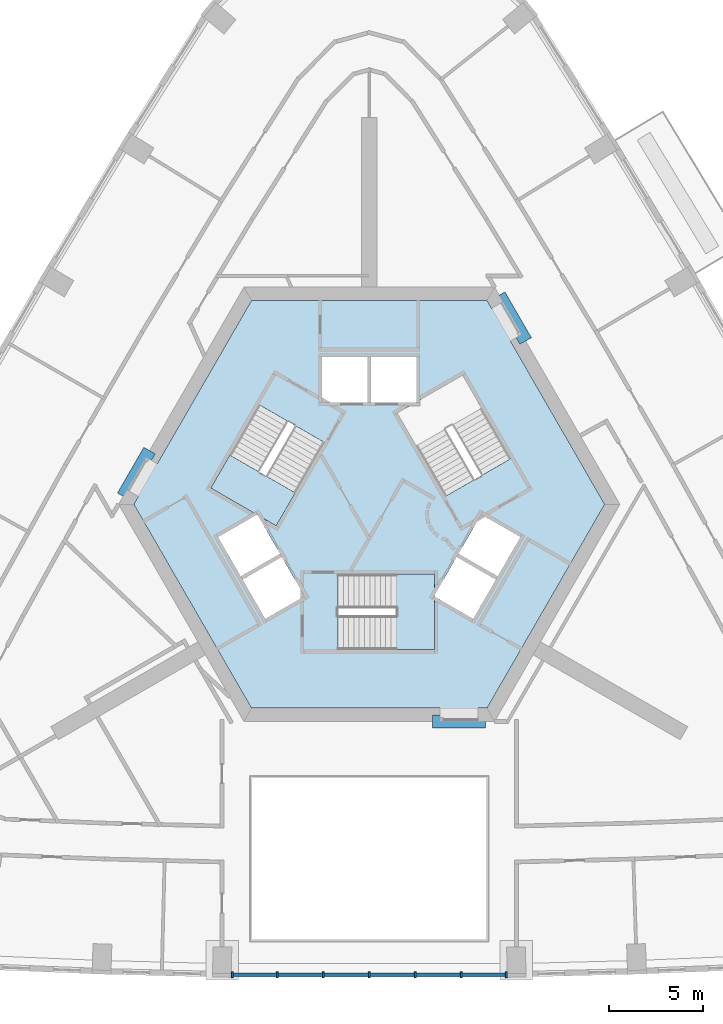
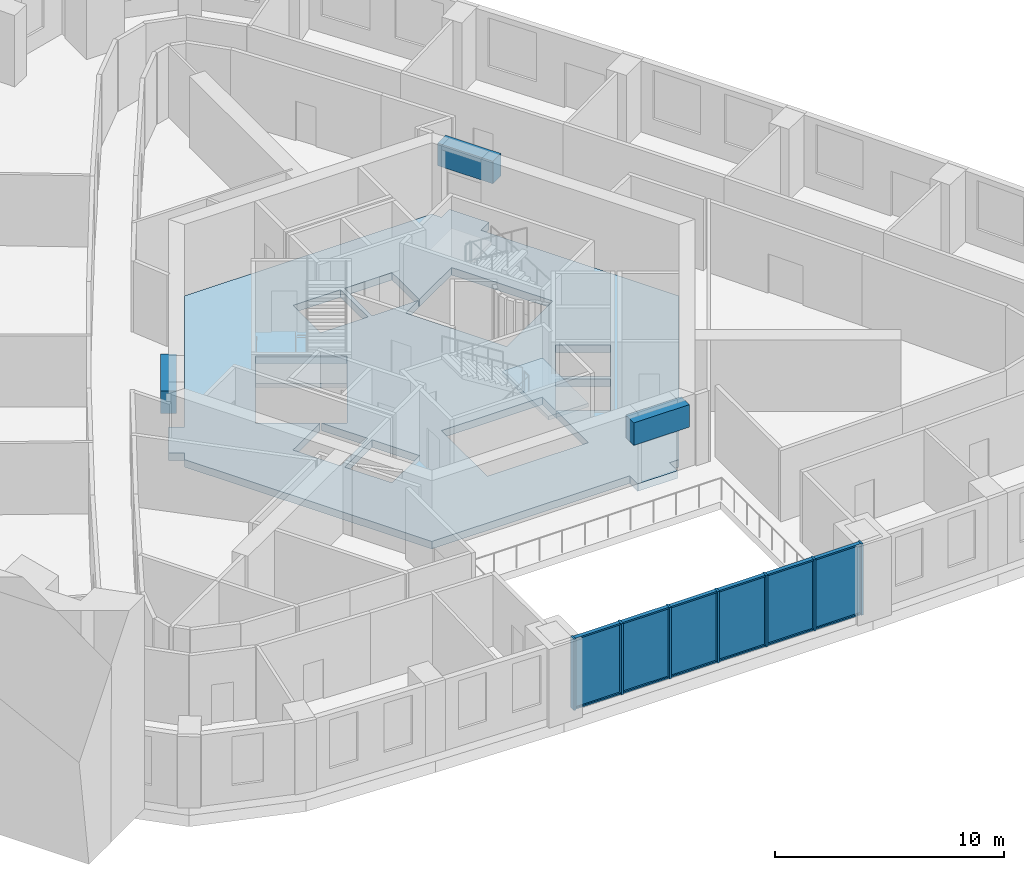
# One storey, part 2 of 13: 19 members, 6 plates, 3 beams, 3 slabs, 3 elements without a shape of their own.
"""IFC4 building model written with IfcOpenShell, lengths in metres."""

from ifc_helpers import new_model, si_unit, direction, frame, origin, origin_2d, place, context, subcontext, project, spatial, polyline, rectangle, outline, extrude, material, layer, layer_set, material_profile, profile_set, type_object, element, aggregate, save


model = new_model("IFC4")

# Units and contexts
model_context = context("Model", 3, precision=1e-05, world=origin(), true_north=direction((0.0, 1.0)))
body_context = subcontext(model_context, "Body", "Model", "MODEL_VIEW")
ifc_project = project(units=[si_unit("LENGTHUNIT", "METRE"), si_unit("AREAUNIT", "SQUARE_METRE"), si_unit("VOLUMEUNIT", "CUBIC_METRE"), si_unit("PLANEANGLEUNIT", "RADIAN"), si_unit("MASSUNIT", "GRAM", prefix="KILO")], contexts=[model_context])

# Site, building, storey
site_placement = place(None, origin())
site = spatial("IfcSite", under=ifc_project, at=site_placement, CompositionType="ELEMENT")
building_placement = place(site_placement, origin())
building = spatial("IfcBuilding", under=site, at=building_placement, Name="Entoto Arch Interchange Tower", CompositionType="ELEMENT")
storey_placement = place(building_placement, frame((0.0, 0.0, 202.39990234375)))
storey = spatial("IfcBuildingStorey", under=building, at=storey_placement, Name="L45", CompositionType="ELEMENT", Elevation=202.39990234375)

# Beams
ifc_material_1 = material(Name="Concrete C50/60", Category="concrete")
ifc_material_profile_1 = material_profile(ifc_material_1, rectangle(XDim=0.699951171875, YDim=1.199951171875, at=origin_2d()))
ifc_profile_set_1 = profile_set([ifc_material_profile_1], Name="Concrete C50/60")
beam_type = type_object("IfcBeamType", Name="Coupling beam RC 700x1200 C50/60", PredefinedType="BEAM", material=ifc_profile_set_1)
for number, where, z_axis, x_axis, name in (
    (1, (8.283935546875, 11.152099609375, 3.0), (-0.500135180047, 0.865947343479, 0.0), (-0.865947343479, -0.500135180047, 0.0), "Coupling beam NE L45"),
    (2, (-11.634033203125, 5.347900390625, 3.0), (-0.500135180047, -0.865947343479, 0.0), (0.865947343479, -0.500135180047, 0.0), "Coupling beam NW L45"),
):
    element("IfcBeam", number, at=place(storey_placement, frame(where, z_axis=z_axis, x_axis=x_axis)), inside=storey, type_object=beam_type, Name=name, PredefinedType="BEAM", context=body_context, shape_type="SweptSolid", body=[
        extrude(rectangle(XDim=0.699951171875, YDim=1.199951171875, at=origin_2d()), origin(), (0.0, 0.0, 1.0), 2.799072265625),
    ])
beam_placement = place(storey_placement, frame((3.35009765625, -9.0, 3.0), z_axis=(1.0, 0.0, 0.0), x_axis=(0.0, 1.0, 0.0)))
element("IfcBeam", 3, at=beam_placement, inside=storey, type_object=beam_type, Name="Coupling beam S L45", PredefinedType="BEAM", context=body_context, shape_type="SweptSolid", body=[
    extrude(rectangle(XDim=0.699951171875, YDim=1.199951171875, at=origin_2d()), origin(), (0.0, 0.0, 1.0), 2.7998046875),
])

# Curtain wall, members
ifc_material_2 = material(Name="Aluminium, anodised", Category="aluminium")
curtain_wall_type = type_object("IfcCurtainWallType", Name="CURTAIN WALL ATRIUM", PredefinedType="NOTDEFINED", material=ifc_material_2)
curtain_wall_placement = place(storey_placement, origin())
curtain_wall = element("IfcCurtainWall", 4, at=curtain_wall_placement, inside=storey, type_object=curtain_wall_type, Name="Atrium glazing S-03 L45", PredefinedType="NOTDEFINED")
ifc_material_profile_2 = material_profile(ifc_material_2, rectangle(XDim=0.300048828125, YDim=0.10009765625, at=origin_2d()))
ifc_profile_set_2 = profile_set([ifc_material_profile_2], Name="Aluminium, anodised")
member_type_1 = type_object("IfcMemberType", Name="MULLION ATRIUM 100x300", PredefinedType="MULLION", material=ifc_profile_set_2)
member_1_placement = place(storey_placement, frame((-7.2490234375, -22.4189453125, 0.0), z_axis=(0.0, 0.0, 1.0), x_axis=(0.0, 1.0, 0.0)))
member_1 = element("IfcMember", 5, at=member_1_placement, type_object=member_type_1, Name="CWA mullion 1", PredefinedType="MULLION", context=body_context, shape_type="SweptSolid", body=[
    extrude(rectangle(XDim=0.300048828125, YDim=0.10009765625, at=origin_2d()), origin(), (0.0, 0.0, 1.0), 3.800048828125),
])
member_2_placement = place(storey_placement, frame((-4.865966796875, -22.4189453125, 0.0), z_axis=(0.0, 0.0, 1.0), x_axis=(0.0, 1.0, 0.0)))
member_2 = element("IfcMember", 6, at=member_2_placement, type_object=member_type_1, Name="CWA mullion 2", PredefinedType="MULLION", context=body_context, shape_type="SweptSolid", body=[
    extrude(rectangle(XDim=0.300048828125, YDim=0.10009765625, at=origin_2d()), origin(), (0.0, 0.0, 1.0), 3.800048828125),
])
member_3_placement = place(storey_placement, frame((-2.43310546875, -22.4189453125, 0.0), z_axis=(0.0, 0.0, 1.0), x_axis=(0.0, 1.0, 0.0)))
member_3 = element("IfcMember", 7, at=member_3_placement, type_object=member_type_1, Name="CWA mullion 3", PredefinedType="MULLION", context=body_context, shape_type="SweptSolid", body=[
    extrude(rectangle(XDim=0.300048828125, YDim=0.10009765625, at=origin_2d()), origin(), (0.0, 0.0, 1.0), 3.800048828125),
])
member_4_placement = place(storey_placement, frame((0.0, -22.4189453125, 0.0), z_axis=(0.0, 0.0, 1.0), x_axis=(0.0, 1.0, 0.0)))
member_4 = element("IfcMember", 8, at=member_4_placement, type_object=member_type_1, Name="CWA mullion 4", PredefinedType="MULLION", context=body_context, shape_type="SweptSolid", body=[
    extrude(rectangle(XDim=0.300048828125, YDim=0.10009765625, at=origin_2d()), origin(), (0.0, 0.0, 1.0), 3.800048828125),
])
member_5_placement = place(storey_placement, frame((2.43310546875, -22.4189453125, 0.0), z_axis=(0.0, 0.0, 1.0), x_axis=(0.0, 1.0, 0.0)))
member_5 = element("IfcMember", 9, at=member_5_placement, type_object=member_type_1, Name="CWA mullion 5", PredefinedType="MULLION", context=body_context, shape_type="SweptSolid", body=[
    extrude(rectangle(XDim=0.300048828125, YDim=0.10009765625, at=origin_2d()), origin(), (0.0, 0.0, 1.0), 3.800048828125),
])
member_6_placement = place(storey_placement, frame((4.865966796875, -22.4189453125, 0.0), z_axis=(0.0, 0.0, 1.0), x_axis=(0.0, 1.0, 0.0)))
member_6 = element("IfcMember", 10, at=member_6_placement, type_object=member_type_1, Name="CWA mullion 6", PredefinedType="MULLION", context=body_context, shape_type="SweptSolid", body=[
    extrude(rectangle(XDim=0.300048828125, YDim=0.10009765625, at=origin_2d()), origin(), (0.0, 0.0, 1.0), 3.800048828125),
])
member_7_placement = place(storey_placement, frame((7.2490234375, -22.4189453125, 0.0), z_axis=(0.0, 0.0, 1.0), x_axis=(0.0, 1.0, 0.0)))
member_7 = element("IfcMember", 11, at=member_7_placement, type_object=member_type_1, Name="CWA mullion 7", PredefinedType="MULLION", context=body_context, shape_type="SweptSolid", body=[
    extrude(rectangle(XDim=0.300048828125, YDim=0.10009765625, at=origin_2d()), origin(), (0.0, 0.0, 1.0), 3.800048828125),
])
ifc_material_profile_3 = material_profile(ifc_material_2, rectangle(XDim=0.199951171875, YDim=0.080078125, at=origin_2d()))
ifc_profile_set_3 = profile_set([ifc_material_profile_3], Name="Aluminium, anodised")
member_type_2 = type_object("IfcMemberType", Name="TRANSOM ATRIUM 80x200", PredefinedType="USERDEFINED", material=ifc_profile_set_3)
member_8_placement = place(storey_placement, frame((-7.198974609375, -22.4189453125, 0.0400390625), z_axis=(1.0, 0.0, 0.0), x_axis=(0.0, 1.0, 0.0)))
member_8 = element("IfcMember", 12, at=member_8_placement, type_object=member_type_2, Name="CWA transom 1.1", ObjectType="TRANSOM", PredefinedType="USERDEFINED", context=body_context, shape_type="SweptSolid", body=[
    extrude(rectangle(XDim=0.199951171875, YDim=0.080078125, at=origin_2d()), origin(), (0.0, 0.0, 1.0), 2.282958984375),
])
member_9_placement = place(storey_placement, frame((-7.198974609375, -22.4189453125, 3.760009765625), z_axis=(1.0, 0.0, 0.0), x_axis=(0.0, 1.0, 0.0)))
member_9 = element("IfcMember", 13, at=member_9_placement, type_object=member_type_2, Name="CWA transom 1.2", ObjectType="TRANSOM", PredefinedType="USERDEFINED", context=body_context, shape_type="SweptSolid", body=[
    extrude(rectangle(XDim=0.199951171875, YDim=0.080078125, at=origin_2d()), origin(), (0.0, 0.0, 1.0), 2.282958984375),
])
member_10_placement = place(storey_placement, frame((-4.81591796875, -22.4189453125, 0.0400390625), z_axis=(1.0, 0.0, 0.0), x_axis=(0.0, 1.0, 0.0)))
member_10 = element("IfcMember", 14, at=member_10_placement, type_object=member_type_2, Name="CWA transom 2.1", ObjectType="TRANSOM", PredefinedType="USERDEFINED", context=body_context, shape_type="SweptSolid", body=[
    extrude(rectangle(XDim=0.199951171875, YDim=0.080078125, at=origin_2d()), origin(), (0.0, 0.0, 1.0), 2.3330078125),
])
member_11_placement = place(storey_placement, frame((-4.81591796875, -22.4189453125, 3.760009765625), z_axis=(1.0, 0.0, 0.0), x_axis=(0.0, 1.0, 0.0)))
member_11 = element("IfcMember", 15, at=member_11_placement, type_object=member_type_2, Name="CWA transom 2.2", ObjectType="TRANSOM", PredefinedType="USERDEFINED", context=body_context, shape_type="SweptSolid", body=[
    extrude(rectangle(XDim=0.199951171875, YDim=0.080078125, at=origin_2d()), origin(), (0.0, 0.0, 1.0), 2.3330078125),
])
member_12_placement = place(storey_placement, frame((-2.383056640625, -22.4189453125, 0.0400390625), z_axis=(1.0, 0.0, 0.0), x_axis=(0.0, 1.0, 0.0)))
member_12 = element("IfcMember", 16, at=member_12_placement, type_object=member_type_2, Name="CWA transom 3.1", ObjectType="TRANSOM", PredefinedType="USERDEFINED", context=body_context, shape_type="SweptSolid", body=[
    extrude(rectangle(XDim=0.199951171875, YDim=0.080078125, at=origin_2d()), origin(), (0.0, 0.0, 1.0), 2.3330078125),
])
member_13_placement = place(storey_placement, frame((-2.383056640625, -22.4189453125, 3.760009765625), z_axis=(1.0, 0.0, 0.0), x_axis=(0.0, 1.0, 0.0)))
member_13 = element("IfcMember", 17, at=member_13_placement, type_object=member_type_2, Name="CWA transom 3.2", ObjectType="TRANSOM", PredefinedType="USERDEFINED", context=body_context, shape_type="SweptSolid", body=[
    extrude(rectangle(XDim=0.199951171875, YDim=0.080078125, at=origin_2d()), origin(), (0.0, 0.0, 1.0), 2.3330078125),
])
member_14_placement = place(storey_placement, frame((0.050048828125, -22.4189453125, 0.0400390625), z_axis=(1.0, 0.0, 0.0), x_axis=(0.0, 1.0, 0.0)))
member_14 = element("IfcMember", 18, at=member_14_placement, type_object=member_type_2, Name="CWA transom 4.1", ObjectType="TRANSOM", PredefinedType="USERDEFINED", context=body_context, shape_type="SweptSolid", body=[
    extrude(rectangle(XDim=0.199951171875, YDim=0.080078125, at=origin_2d()), origin(), (0.0, 0.0, 1.0), 2.3330078125),
])
member_15_placement = place(storey_placement, frame((0.050048828125, -22.4189453125, 3.760009765625), z_axis=(1.0, 0.0, 0.0), x_axis=(0.0, 1.0, 0.0)))
member_15 = element("IfcMember", 19, at=member_15_placement, type_object=member_type_2, Name="CWA transom 4.2", ObjectType="TRANSOM", PredefinedType="USERDEFINED", context=body_context, shape_type="SweptSolid", body=[
    extrude(rectangle(XDim=0.199951171875, YDim=0.080078125, at=origin_2d()), origin(), (0.0, 0.0, 1.0), 2.3330078125),
])
member_16_placement = place(storey_placement, frame((2.48291015625, -22.4189453125, 0.0400390625), z_axis=(1.0, 0.0, 0.0), x_axis=(0.0, 1.0, 0.0)))
member_16 = element("IfcMember", 20, at=member_16_placement, type_object=member_type_2, Name="CWA transom 5.1", ObjectType="TRANSOM", PredefinedType="USERDEFINED", context=body_context, shape_type="SweptSolid", body=[
    extrude(rectangle(XDim=0.199951171875, YDim=0.080078125, at=origin_2d()), origin(), (0.0, 0.0, 1.0), 2.3330078125),
])
member_17_placement = place(storey_placement, frame((2.48291015625, -22.4189453125, 3.760009765625), z_axis=(1.0, 0.0, 0.0), x_axis=(0.0, 1.0, 0.0)))
member_17 = element("IfcMember", 21, at=member_17_placement, type_object=member_type_2, Name="CWA transom 5.2", ObjectType="TRANSOM", PredefinedType="USERDEFINED", context=body_context, shape_type="SweptSolid", body=[
    extrude(rectangle(XDim=0.199951171875, YDim=0.080078125, at=origin_2d()), origin(), (0.0, 0.0, 1.0), 2.3330078125),
])
member_18_placement = place(storey_placement, frame((4.916015625, -22.4189453125, 0.0400390625), z_axis=(1.0, 0.0, 0.0), x_axis=(0.0, 1.0, 0.0)))
member_18 = element("IfcMember", 22, at=member_18_placement, type_object=member_type_2, Name="CWA transom 6.1", ObjectType="TRANSOM", PredefinedType="USERDEFINED", context=body_context, shape_type="SweptSolid", body=[
    extrude(rectangle(XDim=0.199951171875, YDim=0.080078125, at=origin_2d()), origin(), (0.0, 0.0, 1.0), 2.282958984375),
])
member_19_placement = place(storey_placement, frame((4.916015625, -22.4189453125, 3.760009765625), z_axis=(1.0, 0.0, 0.0), x_axis=(0.0, 1.0, 0.0)))
member_19 = element("IfcMember", 23, at=member_19_placement, type_object=member_type_2, Name="CWA transom 6.2", ObjectType="TRANSOM", PredefinedType="USERDEFINED", context=body_context, shape_type="SweptSolid", body=[
    extrude(rectangle(XDim=0.199951171875, YDim=0.080078125, at=origin_2d()), origin(), (0.0, 0.0, 1.0), 2.282958984375),
])

# Slab
ifc_material_3 = material(Name="Concrete C40/50", Category="concrete")
ifc_layer_1 = layer(ifc_material_3, 0.39990234375)
ifc_layer_set_1 = layer_set([ifc_layer_1], Name="Concrete C40/50")
slab_type_1 = type_object("IfcSlabType", Name="Core floor slab 400 C40/50", PredefinedType="FLOOR", material=ifc_layer_set_1)
slab_1_placement = place(storey_placement, frame((0.0, 0.0, -0.39990234375)))
element("IfcSlab", 24, at=slab_1_placement, inside=storey, type_object=slab_type_1, Name="Core floor slab L45", PredefinedType="FLOOR", context=body_context, shape_type="SweptSolid", body=[
    extrude(outline(polyline([(5.75, -9.0), (3.75, -9.0), (3.75, -8.300048828125), (-6.235107421875, -8.300048828125), (-12.470947265625, 2.5), (-12.22802734375, 2.919921875), (-12.833984375, 3.27001953125), (-11.833984375, 5.001953125), (-11.22802734375, 4.652099609375), (-6.235107421875, 13.300048828125), (6.235107421875, 13.300048828125), (6.47802734375, 12.8798828125), (7.083984375, 13.22998046875), (8.083984375, 11.498046875), (7.47802734375, 11.14794921875), (12.470947265625, 2.5), (6.235107421875, -8.300048828125), (5.75, -8.300048828125), (5.75, -9.0)]), holes=[polyline([(-1.64990234375, -5.199951171875), (3.449951171875, -5.199951171875), (3.449951171875, -2.3779296875), (5.5048828125, -3.56494140625), (6.705078125, -1.487060546875), (4.626953125, -0.287109375), (3.449951171875, -2.324951171875), (3.449951171875, -1.199951171875), (-1.64990234375, -1.199951171875), (-1.64990234375, -5.199951171875)]), polyline([(-4.626953125, -0.287109375), (-6.705078125, -1.487060546875), (-5.5048828125, -3.56494140625), (-3.427001953125, -2.364990234375), (-4.626953125, -0.287109375)]), polyline([(-5.904052734375, 1.925048828125), (-4.928955078125, 1.362060546875), (-2.37890625, 5.779052734375), (-5.843017578125, 7.779052734375), (-8.39306640625, 3.362060546875), (-5.949951171875, 1.951904296875), (-8.0048828125, 0.764892578125), (-6.804931640625, -1.31298828125), (-4.72705078125, -0.113037109375), (-5.904052734375, 1.925048828125)]), polyline([(4.72705078125, -0.113037109375), (6.804931640625, -1.31298828125), (8.0048828125, 0.764892578125), (5.927001953125, 1.965087890625), (4.72705078125, -0.113037109375)]), polyline([(2.5, 7.927001953125), (2.5, 10.300048828125), (0.10009765625, 10.300048828125), (0.10009765625, 7.89990234375), (2.452880859375, 7.89990234375), (1.47900390625, 7.337890625), (4.029052734375, 2.9208984375), (7.492919921875, 4.9208984375), (4.943115234375, 9.337890625), (2.5, 7.927001953125)]), polyline([(-2.5, 7.89990234375), (-0.10009765625, 7.89990234375), (-0.10009765625, 10.300048828125), (-2.5, 10.300048828125), (-2.5, 7.89990234375)])]), origin(), (0.0, 0.0, 1.0), 0.39990234375),
])

# Stair, slab
stair_type = type_object("IfcStairType", Name="EXIT STAIR RC 1800", PredefinedType="HALF_TURN_STAIR", material=ifc_material_3)
stair_1_placement = place(storey_placement, origin())
stair_1 = element("IfcStair", 25, at=stair_1_placement, inside=storey, type_object=stair_type, Name="L45 Exit stair S", PredefinedType="HALF_TURN_STAIR")
ifc_layer_2 = layer(ifc_material_3, 0.199951171875)
ifc_layer_set_2 = layer_set([ifc_layer_2], Name="Concrete C40/50")
slab_type_2 = type_object("IfcSlabType", Name="EXIT STAIR LANDING RC 200", PredefinedType="LANDING", material=ifc_layer_set_2)
slab_2_placement = place(storey_placement, frame((0.0, 0.0, 1.900146484375)))
slab_2 = element("IfcSlab", 26, at=slab_2_placement, type_object=slab_type_2, Name="ST-S landing 1", PredefinedType="LANDING", context=body_context, shape_type="SweptSolid", body=[
    extrude(outline(polyline([(1.429931640625, -5.199951171875), (3.449951171875, -5.199951171875), (3.449951171875, -1.199951171875), (1.429931640625, -1.199951171875), (1.429931640625, -5.199951171875)])), origin(), (0.0, 0.0, 1.0), 0.199951171875),
])
aggregate(stair_1, [slab_2])

stair_2_placement = place(storey_placement, origin())
stair_2 = element("IfcStair", 27, at=stair_2_placement, inside=storey, type_object=stair_type, Name="L45 Exit stair NW", PredefinedType="HALF_TURN_STAIR")
slab_3_placement = place(storey_placement, frame((0.0, 0.0, 1.900146484375)))
slab_3 = element("IfcSlab", 28, at=slab_3_placement, type_object=slab_type_2, Name="ST-NW landing 1", PredefinedType="LANDING", context=body_context, shape_type="SweptSolid", body=[
    extrude(outline(polyline([(-7.38330078125, 5.111572265625), (-8.393310546875, 3.3623046875), (-4.92919921875, 1.3623046875), (-3.919189453125, 3.111572265625), (-7.38330078125, 5.111572265625)])), origin(), (0.0, 0.0, 1.0), 0.199951171875),
])
aggregate(stair_2, [slab_3])

# Plate
ifc_material_4 = material(Name="Clear glass, low-e double glazed", Category="glass")
ifc_layer_3 = layer(ifc_material_4, 0.031982421875)
ifc_layer_set_3 = layer_set([ifc_layer_3], Name="Clear glass, low-e double glazed")
plate_type = type_object("IfcPlateType", Name="GLAZING PANEL ATRIUM 32", PredefinedType="CURTAIN_PANEL", material=ifc_layer_set_3)
plate_1_placement = place(storey_placement, frame((-6.0576171875, -22.4189453125, 0.080078125), z_axis=(0.0, 0.0, 1.0), x_axis=(1.0, 0.0, 0.0)))
plate_1 = element("IfcPlate", 29, at=plate_1_placement, type_object=plate_type, Name="CWA panel 1.1", PredefinedType="CURTAIN_PANEL", context=body_context, shape_type="SweptSolid", body=[
    extrude(rectangle(XDim=2.282958984375, YDim=0.031982421875, at=origin_2d()), origin(), (0.0, 0.0, 1.0), 3.639892578125),
])

plate_2_placement = place(storey_placement, frame((-3.6494140625, -22.4189453125, 0.080078125), z_axis=(0.0, 0.0, 1.0), x_axis=(1.0, 0.0, 0.0)))
plate_2 = element("IfcPlate", 30, at=plate_2_placement, type_object=plate_type, Name="CWA panel 2.1", PredefinedType="CURTAIN_PANEL", context=body_context, shape_type="SweptSolid", body=[
    extrude(rectangle(XDim=2.3330078125, YDim=0.031982421875, at=origin_2d()), origin(), (0.0, 0.0, 1.0), 3.639892578125),
])

plate_3_placement = place(storey_placement, frame((-1.216552734375, -22.4189453125, 0.080078125), z_axis=(0.0, 0.0, 1.0), x_axis=(1.0, 0.0, 0.0)))
plate_3 = element("IfcPlate", 31, at=plate_3_placement, type_object=plate_type, Name="CWA panel 3.1", PredefinedType="CURTAIN_PANEL", context=body_context, shape_type="SweptSolid", body=[
    extrude(rectangle(XDim=2.3330078125, YDim=0.031982421875, at=origin_2d()), origin(), (0.0, 0.0, 1.0), 3.639892578125),
])

plate_4_placement = place(storey_placement, frame((1.216552734375, -22.4189453125, 0.080078125), z_axis=(0.0, 0.0, 1.0), x_axis=(1.0, 0.0, 0.0)))
plate_4 = element("IfcPlate", 32, at=plate_4_placement, type_object=plate_type, Name="CWA panel 4.1", PredefinedType="CURTAIN_PANEL", context=body_context, shape_type="SweptSolid", body=[
    extrude(rectangle(XDim=2.3330078125, YDim=0.031982421875, at=origin_2d()), origin(), (0.0, 0.0, 1.0), 3.639892578125),
])

plate_5_placement = place(storey_placement, frame((3.6494140625, -22.4189453125, 0.080078125), z_axis=(0.0, 0.0, 1.0), x_axis=(1.0, 0.0, 0.0)))
plate_5 = element("IfcPlate", 33, at=plate_5_placement, type_object=plate_type, Name="CWA panel 5.1", PredefinedType="CURTAIN_PANEL", context=body_context, shape_type="SweptSolid", body=[
    extrude(rectangle(XDim=2.3330078125, YDim=0.031982421875, at=origin_2d()), origin(), (0.0, 0.0, 1.0), 3.639892578125),
])

plate_6_placement = place(storey_placement, frame((6.0576171875, -22.4189453125, 0.080078125), z_axis=(0.0, 0.0, 1.0), x_axis=(1.0, 0.0, 0.0)))
plate_6 = element("IfcPlate", 34, at=plate_6_placement, type_object=plate_type, Name="CWA panel 6.1", PredefinedType="CURTAIN_PANEL", context=body_context, shape_type="SweptSolid", body=[
    extrude(rectangle(XDim=2.282958984375, YDim=0.031982421875, at=origin_2d()), origin(), (0.0, 0.0, 1.0), 3.639892578125),
])

aggregate(curtain_wall, [member_1, member_2, member_3, member_4, member_5, member_6, member_7, member_8, member_9, plate_1, member_10, member_11, plate_2, member_12, member_13, plate_3, member_14, member_15, plate_4, member_16, member_17, plate_5, member_18, member_19, plate_6])

save(model, "model.ifc")
